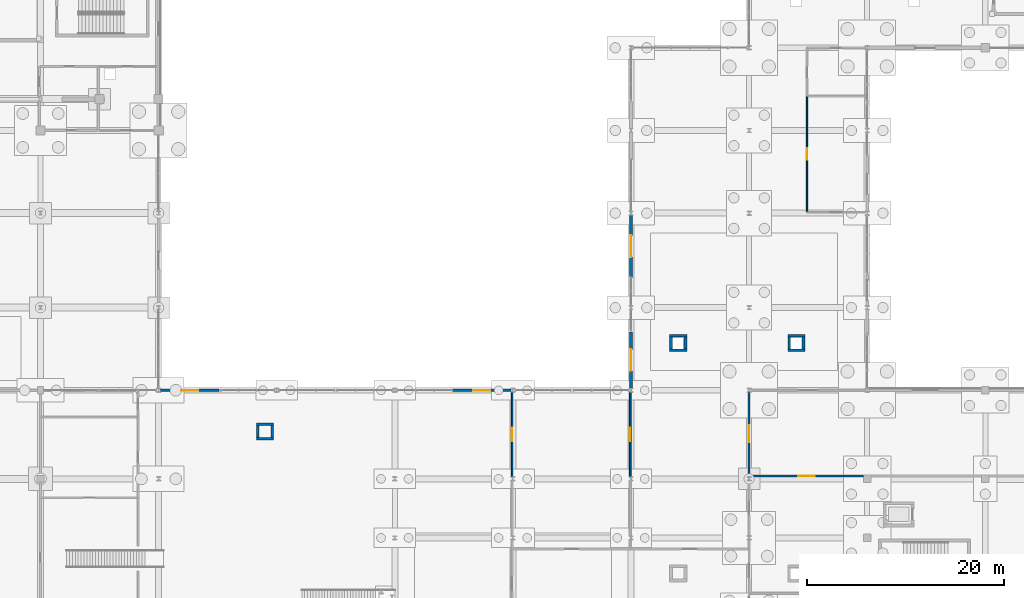
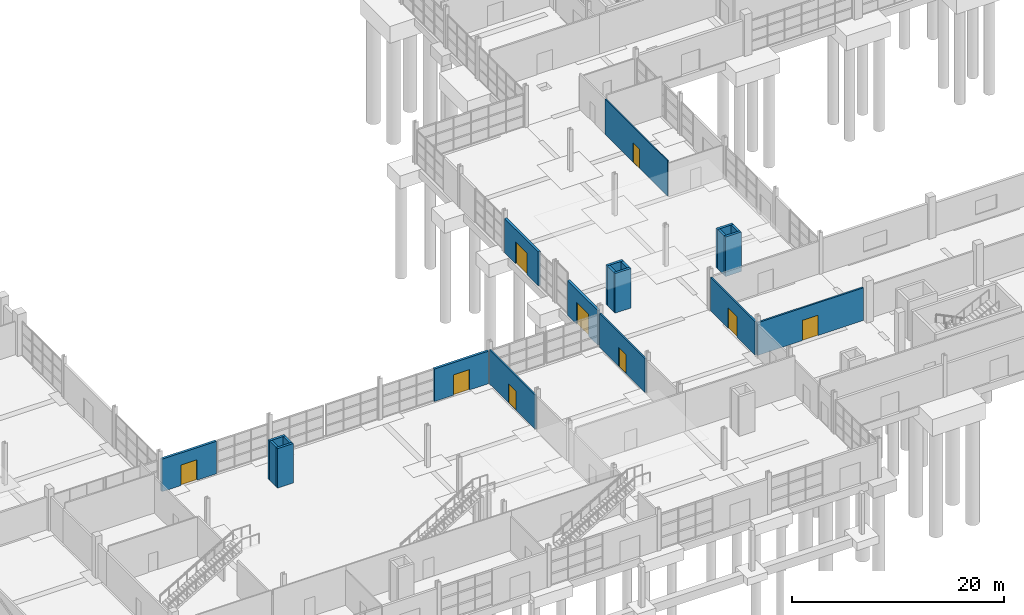
# One storey, part 58 of 82: 21 walls, 9 doors, 9 openings.
"""IFC4 building model written with IfcOpenShell, lengths in metres."""

from ifc_helpers import new_model, si_unit, direction, frame, frame_2d, origin, place, context, subcontext, project, spatial, rectangle, extrude, material, layer, layer_set, type_object, element, fill, save


model = new_model("IFC4")

# Units and contexts
model_context = context("Model", 3, precision=1e-05, world=origin(), true_north=direction((0.0, 1.0)))
body_context = subcontext(model_context, "Body", "Model", "MODEL_VIEW")
ifc_project = project(units=[si_unit("LENGTHUNIT", "METRE"), si_unit("AREAUNIT", "SQUARE_METRE"), si_unit("VOLUMEUNIT", "CUBIC_METRE"), si_unit("PLANEANGLEUNIT", "RADIAN"), si_unit("MASSUNIT", "GRAM", prefix="KILO")], contexts=[model_context])

# Site, building, storey
site_placement = place(None, origin())
site = spatial("IfcSite", under=ifc_project, at=site_placement, CompositionType="ELEMENT")
building_placement = place(site_placement, origin())
building = spatial("IfcBuilding", under=site, at=building_placement, Name="Kelmvaro Bay Concert Hall", CompositionType="ELEMENT")
storey_placement = place(building_placement, origin())
storey = spatial("IfcBuildingStorey", under=building, at=storey_placement, Name="L00", CompositionType="ELEMENT", Elevation=0.0)

# Wall, opening, door
ifc_material_1 = material(Name="Acoustic Gypsum Board on Galvanised Steel Studs", Category="steel")
ifc_layer_1 = layer(ifc_material_1, 0.169921875)
ifc_layer_set_1 = layer_set([ifc_layer_1], Name="Acoustic Gypsum Board on Galvanised Steel Studs")
wall_type_1 = type_object("IfcWallType", Name="Corridor Fire Compartment Partition 170", PredefinedType="PARTITIONING", material=ifc_layer_set_1)
wall_1_placement = place(storey_placement, frame((95.919921875, 30.198486328125, 0.0), z_axis=(0.0, 0.0, 1.0), x_axis=(0.0, 1.0, 0.0)))
wall_1 = element("IfcWall", 1, at=wall_1_placement, inside=storey, type_object=wall_type_1, Name="L00 Interior Partition PT-L00-0104", PredefinedType="PARTITIONING", context=body_context, shape_type="SweptSolid", body=[
    extrude(rectangle(XDim=8.60302734375, YDim=0.169921875, at=frame_2d((4.301513671875, 0.0))), origin(), (0.0, 0.0, 1.0), 3.9189453125),
])
opening_1_placement = place(wall_1_placement, frame((3.62158203125, 0.0, 0.0)))
opening_1 = element("IfcOpeningElement", 2, at=opening_1_placement, cuts=wall_1, Name="Opening ID-DN1", PredefinedType="OPENING", context=body_context, shape_type="SweptSolid", body=[
    extrude(rectangle(XDim=1.360107421875, YDim=2.199951171875, at=frame_2d((0.68017578125, 1.10009765625))), frame((0.0, 0.094970703125, 0.0), z_axis=(0.0, -1.0, 0.0), x_axis=(1.0, 0.0, 0.0)), (0.0, 0.0, 1.0), 0.18994140625),
])
ifc_material_2 = material(Name="Brushed Stainless Steel Core", Category="steel")
door_type_1 = type_object("IfcDoorType", Name="Dining and Kitchen Service Door 1360x2200", OperationType="NOTDEFINED", PredefinedType="DOOR", material=ifc_material_2)
door_1_placement = place(opening_1_placement, origin())
door_1 = element("IfcDoor", 3, at=door_1_placement, inside=storey, type_object=door_type_1, Name="L00 Interior Door DR-INT-L00-0065", OperationType="SINGLE_SWING_LEFT", OverallHeight=2.199951171875, OverallWidth=1.360107421875, PredefinedType="DOOR", context=body_context, shape_type="SweptSolid", body=[
    extrude(rectangle(XDim=1.360107421875, YDim=2.199951171875, at=frame_2d((0.68017578125, 1.10009765625))), frame((0.0, 0.02490234375, 0.0), z_axis=(0.0, -1.0, 0.0), x_axis=(1.0, 0.0, 0.0)), (0.0, 0.0, 1.0), 0.050048828125),
])
fill(opening_1, door_1)

wall_2_placement = place(storey_placement, frame((107.919921875, 30.198486328125, 0.0), z_axis=(0.0, 0.0, 1.0), x_axis=(0.0, 1.0, 0.0)))
wall_2 = element("IfcWall", 4, at=wall_2_placement, inside=storey, type_object=wall_type_1, Name="L00 Interior Partition PT-L00-0117", PredefinedType="PARTITIONING", context=body_context, shape_type="SweptSolid", body=[
    extrude(rectangle(XDim=8.60302734375, YDim=0.169921875, at=frame_2d((4.301513671875, 0.0))), origin(), (0.0, 0.0, 1.0), 3.9189453125),
])
opening_2_placement = place(wall_2_placement, frame((3.62158203125, 0.0, 0.0)))
opening_2 = element("IfcOpeningElement", 5, at=opening_2_placement, cuts=wall_2, Name="Opening ID-DN1", PredefinedType="OPENING", context=body_context, shape_type="SweptSolid", body=[
    extrude(rectangle(XDim=1.360107421875, YDim=2.199951171875, at=frame_2d((0.68017578125, 1.10009765625))), frame((0.0, 0.094970703125, 0.0), z_axis=(0.0, -1.0, 0.0), x_axis=(1.0, 0.0, 0.0)), (0.0, 0.0, 1.0), 0.18994140625),
])
door_2_placement = place(opening_2_placement, origin())
door_2 = element("IfcDoor", 6, at=door_2_placement, inside=storey, type_object=door_type_1, Name="L00 Interior Door DR-INT-L00-0074", OperationType="SINGLE_SWING_RIGHT", OverallHeight=2.199951171875, OverallWidth=1.360107421875, PredefinedType="DOOR", context=body_context, shape_type="SweptSolid", body=[
    extrude(rectangle(XDim=1.360107421875, YDim=2.199951171875, at=frame_2d((0.68017578125, 1.10009765625))), frame((0.0, 0.02490234375, 0.0), z_axis=(0.0, -1.0, 0.0), x_axis=(1.0, 0.0, 0.0)), (0.0, 0.0, 1.0), 0.050048828125),
])
fill(opening_2, door_2)

ifc_material_3 = material(Name="Precast Concrete C40/50", Category="concrete")
ifc_layer_2 = layer(ifc_material_3, 0.260009765625)
ifc_layer_set_2 = layer_set([ifc_layer_2], Name="Precast Concrete C40/50")
wall_type_2 = type_object("IfcWallType", Name="Foyer Spandrel Precast Wall 260", PredefinedType="SOLIDWALL", material=ifc_layer_set_2)
wall_3_placement = place(storey_placement, frame((60.199462890625, 39.0, 0.0), z_axis=(0.0, 0.0, 1.0), x_axis=(1.0, 0.0, 0.0)))
wall_3 = element("IfcWall", 7, at=wall_3_placement, inside=storey, type_object=wall_type_2, Name="L00 Exterior Wall EW-L00-0267", PredefinedType="SOLIDWALL", context=body_context, shape_type="SweptSolid", body=[
    extrude(rectangle(XDim=5.930419921875, YDim=0.260009765625, at=frame_2d((2.96533203125, 0.0))), origin(), (0.0, 0.0, 1.0), 3.7470703125),
])
opening_3_placement = place(wall_3_placement, frame((2.09033203125, 0.0, 0.0)))
opening_3 = element("IfcOpeningElement", 8, at=opening_3_placement, cuts=wall_3, Name="Opening ED-175", PredefinedType="OPENING", context=body_context, shape_type="SweptSolid", body=[
    extrude(rectangle(XDim=1.75, YDim=2.35009765625, at=frame_2d((0.875, 1.175048828125))), frame((0.0, 0.139892578125, 0.0), z_axis=(0.0, -1.0, 0.0), x_axis=(1.0, 0.0, 0.0)), (0.0, 0.0, 1.0), 0.280029296875),
])
ifc_material_4 = material(Name="Thermally Broken Aluminium and Laminated Safety Glass", Category="aluminium")
door_type_2 = type_object("IfcDoorType", Name="Courtyard Promenade Exit Door 1750x2350", OperationType="NOTDEFINED", PredefinedType="DOOR", material=ifc_material_4)
door_3_placement = place(opening_3_placement, origin())
door_3 = element("IfcDoor", 9, at=door_3_placement, inside=storey, type_object=door_type_2, Name="L00 Exterior Door DR-EXT-L00-026", OperationType="DOUBLE_DOOR_SINGLE_SWING", OverallHeight=2.35009765625, OverallWidth=1.75, PredefinedType="DOOR", context=body_context, shape_type="SweptSolid", body=[
    extrude(rectangle(XDim=1.75, YDim=2.35009765625, at=frame_2d((0.875, 1.175048828125))), frame((0.0, 0.02490234375, 0.0), z_axis=(0.0, -1.0, 0.0), x_axis=(1.0, 0.0, 0.0)), (0.0, 0.0, 1.0), 0.050048828125),
])
fill(opening_3, door_3)

wall_4_placement = place(storey_placement, frame((89.8701171875, 39.0, 0.0), z_axis=(0.0, 0.0, 1.0), x_axis=(1.0, 0.0, 0.0)))
wall_4 = element("IfcWall", 10, at=wall_4_placement, inside=storey, type_object=wall_type_2, Name="L00 Exterior Wall EW-L00-0268", PredefinedType="SOLIDWALL", context=body_context, shape_type="SweptSolid", body=[
    extrude(rectangle(XDim=5.931884765625, YDim=0.260009765625, at=frame_2d((2.9658203125, 0.0))), origin(), (0.0, 0.0, 1.0), 3.7470703125),
])
opening_4_placement = place(wall_4_placement, frame((2.091064453125, 0.0, 0.0)))
opening_4 = element("IfcOpeningElement", 11, at=opening_4_placement, cuts=wall_4, Name="Opening ED-175", PredefinedType="OPENING", context=body_context, shape_type="SweptSolid", body=[
    extrude(rectangle(XDim=1.75, YDim=2.35009765625, at=frame_2d((0.875, 1.175048828125))), frame((0.0, 0.139892578125, 0.0), z_axis=(0.0, -1.0, 0.0), x_axis=(1.0, 0.0, 0.0)), (0.0, 0.0, 1.0), 0.280029296875),
])
door_4_placement = place(opening_4_placement, origin())
door_4 = element("IfcDoor", 12, at=door_4_placement, inside=storey, type_object=door_type_2, Name="L00 Exterior Door DR-EXT-L00-027", OperationType="DOUBLE_DOOR_SINGLE_SWING", OverallHeight=2.35009765625, OverallWidth=1.75, PredefinedType="DOOR", context=body_context, shape_type="SweptSolid", body=[
    extrude(rectangle(XDim=1.75, YDim=2.35009765625, at=frame_2d((0.875, 1.175048828125))), frame((0.0, 0.02490234375, 0.0), z_axis=(0.0, -1.0, 0.0), x_axis=(1.0, 0.0, 0.0)), (0.0, 0.0, 1.0), 0.050048828125),
])
fill(opening_4, door_4)

wall_5_placement = place(storey_placement, frame((108.0, 39.1904296875, 0.0), z_axis=(0.0, 0.0, 1.0), x_axis=(0.0, 1.0, 0.0)))
wall_5 = element("IfcWall", 13, at=wall_5_placement, inside=storey, type_object=wall_type_2, Name="L00 Exterior Wall EW-L00-0272", PredefinedType="SOLIDWALL", context=body_context, shape_type="SweptSolid", body=[
    extrude(rectangle(XDim=5.739501953125, YDim=0.260009765625, at=frame_2d((2.86962890625, 0.0))), origin(), (0.0, 0.0, 1.0), 3.97802734375),
])
opening_5_placement = place(wall_5_placement, frame((1.769775390625, 0.0, 0.0)))
opening_5 = element("IfcOpeningElement", 14, at=opening_5_placement, cuts=wall_5, Name="Opening ED-220", PredefinedType="OPENING", context=body_context, shape_type="SweptSolid", body=[
    extrude(rectangle(XDim=2.199951171875, YDim=2.5, at=frame_2d((1.10009765625, 1.25))), frame((0.0, 0.139892578125, 0.0), z_axis=(0.0, -1.0, 0.0), x_axis=(1.0, 0.0, 0.0)), (0.0, 0.0, 1.0), 0.280029296875),
])
ifc_material_5 = material(Name="Thermally Broken Aluminium and Laminated Safety Glass", Category="aluminium")
door_type_3 = type_object("IfcDoorType", Name="Grand Foyer Ceremonial Exit Door 2200x2500", OperationType="NOTDEFINED", PredefinedType="DOOR", material=ifc_material_5)
door_5_placement = place(opening_5_placement, origin())
door_5 = element("IfcDoor", 15, at=door_5_placement, inside=storey, type_object=door_type_3, Name="L00 Exterior Door DR-EXT-L00-031", OperationType="DOUBLE_DOOR_SINGLE_SWING", OverallHeight=2.5, OverallWidth=2.199951171875, PredefinedType="DOOR", context=body_context, shape_type="SweptSolid", body=[
    extrude(rectangle(XDim=2.199951171875, YDim=2.5, at=frame_2d((1.10009765625, 1.25))), frame((0.0, 0.02490234375, 0.0), z_axis=(0.0, -1.0, 0.0), x_axis=(1.0, 0.0, 0.0)), (0.0, 0.0, 1.0), 0.050048828125),
])
fill(opening_5, door_5)

wall_6_placement = place(storey_placement, frame((108.0, 50.469970703125, 0.0), z_axis=(0.0, 0.0, 1.0), x_axis=(0.0, 1.0, 0.0)))
wall_6 = element("IfcWall", 16, at=wall_6_placement, inside=storey, type_object=wall_type_2, Name="L00 Exterior Wall EW-L00-0275", PredefinedType="SOLIDWALL", context=body_context, shape_type="SweptSolid", body=[
    extrude(rectangle(XDim=6.339599609375, YDim=0.260009765625, at=frame_2d((3.169921875, 0.0))), origin(), (0.0, 0.0, 1.0), 3.9189453125),
])
opening_6_placement = place(wall_6_placement, frame((2.069580078125, 0.0, 0.0)))
opening_6 = element("IfcOpeningElement", 17, at=opening_6_placement, cuts=wall_6, Name="Opening ED-220", PredefinedType="OPENING", context=body_context, shape_type="SweptSolid", body=[
    extrude(rectangle(XDim=2.199951171875, YDim=2.5, at=frame_2d((1.10009765625, 1.25))), frame((0.0, 0.139892578125, 0.0), z_axis=(0.0, -1.0, 0.0), x_axis=(1.0, 0.0, 0.0)), (0.0, 0.0, 1.0), 0.280029296875),
])
door_6_placement = place(opening_6_placement, origin())
door_6 = element("IfcDoor", 18, at=door_6_placement, inside=storey, type_object=door_type_3, Name="L00 Exterior Door DR-EXT-L00-033", OperationType="DOUBLE_DOOR_SINGLE_SWING", OverallHeight=2.5, OverallWidth=2.199951171875, PredefinedType="DOOR", context=body_context, shape_type="SweptSolid", body=[
    extrude(rectangle(XDim=2.199951171875, YDim=2.5, at=frame_2d((1.10009765625, 1.25))), frame((0.0, 0.02490234375, 0.0), z_axis=(0.0, -1.0, 0.0), x_axis=(1.0, 0.0, 0.0)), (0.0, 0.0, 1.0), 0.050048828125),
])
fill(opening_6, door_6)

ifc_material_6 = material(Name="Acoustic Gypsum Board on Galvanised Steel Studs", Category="steel")
ifc_layer_3 = layer(ifc_material_6, 0.179931640625)
ifc_layer_set_3 = layer_set([ifc_layer_3], Name="Acoustic Gypsum Board on Galvanised Steel Studs")
wall_type_3 = type_object("IfcWallType", Name="Rehearsal Suite Acoustic Partition 180", PredefinedType="PARTITIONING", material=ifc_layer_set_3)
wall_7_placement = place(storey_placement, frame((120.050048828125, 30.280029296875, 0.0), z_axis=(0.0, 0.0, 1.0), x_axis=(1.0, 0.0, 0.0)))
wall_7 = element("IfcWall", 19, at=wall_7_placement, inside=storey, type_object=wall_type_3, Name="L00 Interior Partition PT-L00-0081", PredefinedType="PARTITIONING", context=body_context, shape_type="SweptSolid", body=[
    extrude(rectangle(XDim=11.56689453125, YDim=0.179931640625, at=frame_2d((5.783447265625, 0.0))), origin(), (0.0, 0.0, 1.0), 3.76708984375),
])
opening_7_placement = place(wall_7_placement, frame((4.923583984375, 0.0, 0.0)))
opening_7 = element("IfcOpeningElement", 20, at=opening_7_placement, cuts=wall_7, Name="Opening ID-AC4", PredefinedType="OPENING", context=body_context, shape_type="SweptSolid", body=[
    extrude(rectangle(XDim=1.719970703125, YDim=2.340087890625, at=frame_2d((0.85986328125, 1.169921875))), frame((0.0, 0.099853515625, 0.0), z_axis=(0.0, -1.0, 0.0), x_axis=(1.0, 0.0, 0.0)), (0.0, 0.0, 1.0), 0.199951171875),
])
ifc_material_7 = material(Name="Solid White Oak Acoustic Leaf")
door_type_4 = type_object("IfcDoorType", Name="Rehearsal Hall Acoustic Pair Door 1720x2340", OperationType="NOTDEFINED", PredefinedType="DOOR", material=ifc_material_7)
door_7_placement = place(opening_7_placement, origin())
door_7 = element("IfcDoor", 21, at=door_7_placement, inside=storey, type_object=door_type_4, Name="L00 Interior Door DR-INT-L00-0051", OperationType="DOUBLE_DOOR_SINGLE_SWING", OverallHeight=2.340087890625, OverallWidth=1.719970703125, PredefinedType="DOOR", context=body_context, shape_type="SweptSolid", body=[
    extrude(rectangle(XDim=1.719970703125, YDim=2.340087890625, at=frame_2d((0.85986328125, 1.169921875))), frame((0.0, 0.02490234375, 0.0), z_axis=(0.0, -1.0, 0.0), x_axis=(1.0, 0.0, 0.0)), (0.0, 0.0, 1.0), 0.050048828125),
])
fill(opening_7, door_7)

wall_8_placement = place(storey_placement, frame((120.0, 30.3798828125, 0.0), z_axis=(0.0, 0.0, 1.0), x_axis=(0.0, 1.0, 0.0)))
wall_8 = element("IfcWall", 22, at=wall_8_placement, inside=storey, type_object=wall_type_3, Name="L00 Interior Partition PT-L00-0092", PredefinedType="PARTITIONING", context=body_context, shape_type="SweptSolid", body=[
    extrude(rectangle(XDim=8.41259765625, YDim=0.179931640625, at=frame_2d((4.206298828125, 0.0))), origin(), (0.0, 0.0, 1.0), 3.84912109375),
])
opening_8_placement = place(wall_8_placement, frame((3.34619140625, 0.0, 0.0)))
opening_8 = element("IfcOpeningElement", 23, at=opening_8_placement, cuts=wall_8, Name="Opening ID-AC4", PredefinedType="OPENING", context=body_context, shape_type="SweptSolid", body=[
    extrude(rectangle(XDim=1.719970703125, YDim=2.340087890625, at=frame_2d((0.85986328125, 1.169921875))), frame((0.0, 0.099853515625, 0.0), z_axis=(0.0, -1.0, 0.0), x_axis=(1.0, 0.0, 0.0)), (0.0, 0.0, 1.0), 0.199951171875),
])
door_8_placement = place(opening_8_placement, origin())
door_8 = element("IfcDoor", 24, at=door_8_placement, inside=storey, type_object=door_type_4, Name="L00 Interior Door DR-INT-L00-0059", OperationType="DOUBLE_DOOR_SINGLE_SWING", OverallHeight=2.340087890625, OverallWidth=1.719970703125, PredefinedType="DOOR", context=body_context, shape_type="SweptSolid", body=[
    extrude(rectangle(XDim=1.719970703125, YDim=2.340087890625, at=frame_2d((0.85986328125, 1.169921875))), frame((0.0, 0.02490234375, 0.0), z_axis=(0.0, -1.0, 0.0), x_axis=(1.0, 0.0, 0.0)), (0.0, 0.0, 1.0), 0.050048828125),
])
fill(opening_8, door_8)

# Walls
ifc_material_8 = material(Name="Concrete C40/50", Category="concrete")
ifc_layer_4 = layer(ifc_material_8, 0.27001953125)
ifc_layer_set_4 = layer_set([ifc_layer_4], Name="Concrete C40/50")
wall_type_4 = type_object("IfcWallType", Name="Secondary Shaft Shear Wall 270", PredefinedType="SHEAR", material=ifc_layer_set_4)
for number, where, z_axis, x_axis, name in (
    (25, (69.929931640625, 34.06494140625, 0.0), (0.0, 0.0, 1.0), (1.0, 0.0, 0.0), "L00 Service Riser Shaft Wall 033-S"),
    (26, (69.929931640625, 35.534912109375, 0.0), (0.0, 0.0, 1.0), (1.0, 0.0, 0.0), "L00 Service Riser Shaft Wall 034-N"),
):
    element("IfcWall", number, at=place(storey_placement, frame(where, z_axis=z_axis, x_axis=x_axis)), inside=storey, type_object=wall_type_4, Name=name, PredefinedType="SHEAR", context=body_context, shape_type="SweptSolid", body=[
        extrude(rectangle(XDim=1.739990234375, YDim=0.27001953125, at=frame_2d((0.8701171875, 0.0))), origin(), (0.0, 0.0, 1.0), 4.550048828125),
    ])
for number, where, z_axis, x_axis, name in (
    (27, (70.06494140625, 34.199951171875, 0.0), (0.0, 0.0, 1.0), (0.0, 1.0, 0.0), "L00 Service Riser Shaft Wall 035-W"),
    (28, (71.534912109375, 34.199951171875, 0.0), (0.0, 0.0, 1.0), (0.0, 1.0, 0.0), "L00 Service Riser Shaft Wall 036-E"),
):
    element("IfcWall", number, at=place(storey_placement, frame(where, z_axis=z_axis, x_axis=x_axis)), inside=storey, type_object=wall_type_4, Name=name, PredefinedType="SHEAR", context=body_context, shape_type="SweptSolid", body=[
        extrude(rectangle(XDim=1.199951171875, YDim=0.27001953125, at=frame_2d((0.60009765625, 0.0))), origin(), (0.0, 0.0, 1.0), 4.550048828125),
    ])
for number, where, z_axis, x_axis, name in (
    (29, (111.929931640625, 43.06494140625, 0.0), (0.0, 0.0, 1.0), (1.0, 0.0, 0.0), "L00 Service Riser Shaft Wall 049-S"),
    (30, (111.929931640625, 44.534912109375, 0.0), (0.0, 0.0, 1.0), (1.0, 0.0, 0.0), "L00 Service Riser Shaft Wall 050-N"),
):
    element("IfcWall", number, at=place(storey_placement, frame(where, z_axis=z_axis, x_axis=x_axis)), inside=storey, type_object=wall_type_4, Name=name, PredefinedType="SHEAR", context=body_context, shape_type="SweptSolid", body=[
        extrude(rectangle(XDim=1.739990234375, YDim=0.27001953125, at=frame_2d((0.8701171875, 0.0))), origin(), (0.0, 0.0, 1.0), 4.550048828125),
    ])
for number, where, z_axis, x_axis, name in (
    (31, (112.06494140625, 43.199951171875, 0.0), (0.0, 0.0, 1.0), (0.0, 1.0, 0.0), "L00 Service Riser Shaft Wall 051-W"),
    (32, (113.534912109375, 43.199951171875, 0.0), (0.0, 0.0, 1.0), (0.0, 1.0, 0.0), "L00 Service Riser Shaft Wall 052-E"),
):
    element("IfcWall", number, at=place(storey_placement, frame(where, z_axis=z_axis, x_axis=x_axis)), inside=storey, type_object=wall_type_4, Name=name, PredefinedType="SHEAR", context=body_context, shape_type="SweptSolid", body=[
        extrude(rectangle(XDim=1.199951171875, YDim=0.27001953125, at=frame_2d((0.60009765625, 0.0))), origin(), (0.0, 0.0, 1.0), 4.550048828125),
    ])
for number, where, z_axis, x_axis, name in (
    (33, (123.929931640625, 43.06494140625, 0.0), (0.0, 0.0, 1.0), (1.0, 0.0, 0.0), "L00 Service Riser Shaft Wall 053-S"),
    (34, (123.929931640625, 44.534912109375, 0.0), (0.0, 0.0, 1.0), (1.0, 0.0, 0.0), "L00 Service Riser Shaft Wall 054-N"),
):
    element("IfcWall", number, at=place(storey_placement, frame(where, z_axis=z_axis, x_axis=x_axis)), inside=storey, type_object=wall_type_4, Name=name, PredefinedType="SHEAR", context=body_context, shape_type="SweptSolid", body=[
        extrude(rectangle(XDim=1.739990234375, YDim=0.27001953125, at=frame_2d((0.8701171875, 0.0))), origin(), (0.0, 0.0, 1.0), 4.550048828125),
    ])
for number, where, z_axis, x_axis, name in (
    (35, (124.06494140625, 43.199951171875, 0.0), (0.0, 0.0, 1.0), (0.0, 1.0, 0.0), "L00 Service Riser Shaft Wall 055-W"),
    (36, (125.534912109375, 43.199951171875, 0.0), (0.0, 0.0, 1.0), (0.0, 1.0, 0.0), "L00 Service Riser Shaft Wall 056-E"),
):
    element("IfcWall", number, at=place(storey_placement, frame(where, z_axis=z_axis, x_axis=x_axis)), inside=storey, type_object=wall_type_4, Name=name, PredefinedType="SHEAR", context=body_context, shape_type="SweptSolid", body=[
        extrude(rectangle(XDim=1.199951171875, YDim=0.27001953125, at=frame_2d((0.60009765625, 0.0))), origin(), (0.0, 0.0, 1.0), 4.550048828125),
    ])

# Wall, opening, door
ifc_material_9 = material(Name="Acoustic Gypsum Board on Galvanised Steel Studs", Category="steel")
ifc_layer_5 = layer(ifc_material_9, 0.1201171875)
ifc_layer_set_5 = layer_set([ifc_layer_5], Name="Acoustic Gypsum Board on Galvanised Steel Studs")
wall_type_5 = type_object("IfcWallType", Name="Standard Architectural Partition 120", PredefinedType="PARTITIONING", material=ifc_layer_set_5)
wall_9_placement = place(storey_placement, frame((125.8798828125, 57.14990234375, 0.0), z_axis=(0.0, 0.0, 1.0), x_axis=(0.0, 1.0, 0.0)))
wall_9 = element("IfcWall", 37, at=wall_9_placement, inside=storey, type_object=wall_type_5, Name="L00 Interior Partition PT-L00-0126", PredefinedType="PARTITIONING", context=body_context, shape_type="SweptSolid", body=[
    extrude(rectangle(XDim=11.735107421875, YDim=0.1201171875, at=frame_2d((5.86767578125, 0.0))), origin(), (0.0, 0.0, 1.0), 4.074951171875),
])
opening_9_placement = place(wall_9_placement, frame((5.277587890625, 0.0, 0.0)))
opening_9 = element("IfcOpeningElement", 38, at=opening_9_placement, cuts=wall_9, Name="Opening ID-RT1", PredefinedType="OPENING", context=body_context, shape_type="SweptSolid", body=[
    extrude(rectangle(XDim=1.179931640625, YDim=2.199951171875, at=frame_2d((0.58984375, 1.10009765625))), frame((0.0, 0.070068359375, 0.0), z_axis=(0.0, -1.0, 0.0), x_axis=(1.0, 0.0, 0.0)), (0.0, 0.0, 1.0), 0.14013671875),
])
ifc_material_10 = material(Name="Anodised Aluminium and Glass", Category="aluminium")
door_type_5 = type_object("IfcDoorType", Name="Retail and Box Office Door 1180x2200", OperationType="NOTDEFINED", PredefinedType="DOOR", material=ifc_material_10)
door_9_placement = place(opening_9_placement, origin())
door_9 = element("IfcDoor", 39, at=door_9_placement, inside=storey, type_object=door_type_5, Name="L00 Interior Door DR-INT-L00-0079", OperationType="SINGLE_SWING_LEFT", OverallHeight=2.199951171875, OverallWidth=1.179931640625, PredefinedType="DOOR", context=body_context, shape_type="SweptSolid", body=[
    extrude(rectangle(XDim=1.179931640625, YDim=2.199951171875, at=frame_2d((0.58984375, 1.10009765625))), frame((0.0, 0.02490234375, 0.0), z_axis=(0.0, -1.0, 0.0), x_axis=(1.0, 0.0, 0.0)), (0.0, 0.0, 1.0), 0.050048828125),
])
fill(opening_9, door_9)

save(model, "model.ifc")
